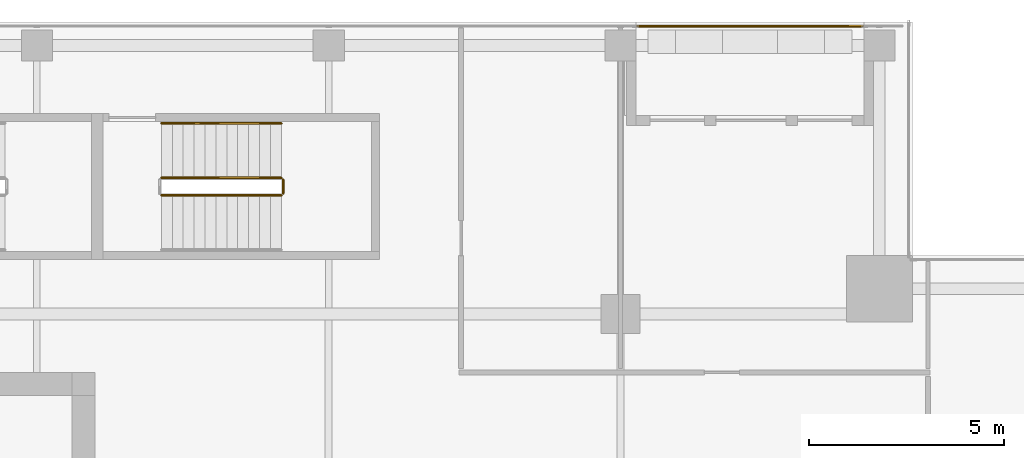
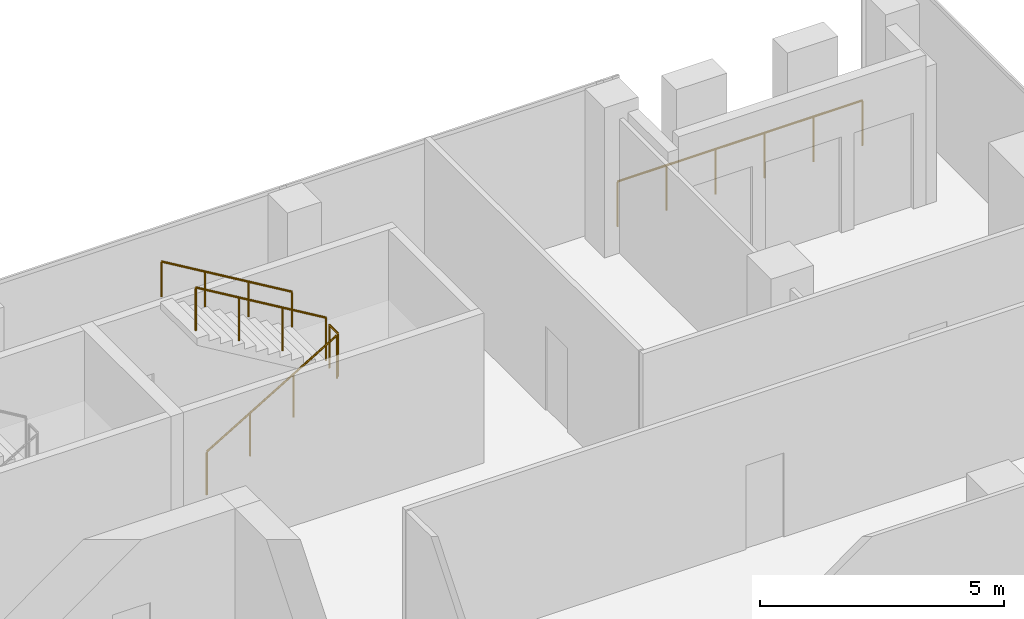
# One storey, part 28 of 29: 5 railings.
"""IFC4 building model written with IfcOpenShell, lengths in metres."""

import ifcopenshell
import ifcopenshell.guid

model = None  # the IFC model being written
_history = None  # IfcOwnerHistory: only IFC2X3 demands one
_inside = {}  # id of a spatial element -> (the spatial element, [elements in it])
_under = {}  # id of a project, library or spatial element -> (it, [spatial elements below it])
_declared = {}  # id of a project -> (the project, [libraries it declares])
_typed = {}  # id of a type object -> (the type object, [elements of that type])
_made_of = {}  # id of a material, layer set ... -> (it, [elements and type objects made of it])


def new_model(schema):
    """Start an empty IFC model of exactly this schema.

    Asked for "IFC4X3", IfcOpenShell would pick the latest addendum, in which some entities
    have other attributes; the version numbers below select the first issue.
    IFC2X3 requires an IfcOwnerHistory on every rooted entity: one is made here for all.
    """
    global model, _history
    if schema == "IFC4X3":
        model = ifcopenshell.file(schema_version=(4, 3, 0, 0))
    else:
        model = ifcopenshell.file(schema=schema)
    _inside.clear()
    _under.clear()
    _declared.clear()
    _typed.clear()
    _made_of.clear()
    _history = None
    if model.schema == "IFC2X3":
        org = make("IfcOrganization", Name="unknown")
        user = make(
            "IfcPersonAndOrganization",
            ThePerson=make("IfcPerson", FamilyName="unknown"),
            TheOrganization=org,
        )
        app = make(
            "IfcApplication",
            ApplicationDeveloper=org,
            Version="unknown",
            ApplicationFullName="unknown",
            ApplicationIdentifier="unknown",
        )
        _history = make(
            "IfcOwnerHistory",
            OwningUser=user,
            OwningApplication=app,
            ChangeAction="ADDED",
            CreationDate=0,
        )
    return model


def make(cls, **values):
    """One entity of the class cls with the attributes given. An attribute that is None is left unset."""
    return model.create_entity(
        cls, **{name: value for name, value in values.items() if value is not None}
    )


def rooted(cls, **values):
    """An entity with a GlobalId (a new one), such as an element, a storey or a relation."""
    return make(cls, GlobalId=ifcopenshell.guid.new(), OwnerHistory=_history, **values)


def si_unit(unit_type, name, prefix=None):
    """IfcSIUnit, for example si_unit("LENGTHUNIT", "METRE", prefix="MILLI")."""
    return make("IfcSIUnit", UnitType=unit_type, Prefix=prefix, Name=name)


def assignment(units):
    """IfcUnitAssignment: the units of a project."""
    return None if units is None else make("IfcUnitAssignment", Units=units)


def point(xyz):
    """IfcCartesianPoint."""
    return None if xyz is None else make("IfcCartesianPoint", Coordinates=xyz)


def direction(xyz):
    """IfcDirection."""
    return None if xyz is None else make("IfcDirection", DirectionRatios=xyz)


def frame(location, z_axis=None, x_axis=None):
    """IfcAxis2Placement3D, a coordinate frame: its origin and axes. An axis left out is left unset."""
    return make(
        "IfcAxis2Placement3D",
        Location=point(location),
        Axis=direction(z_axis),
        RefDirection=direction(x_axis),
    )


def frame_2d(location, x_axis=None):
    """IfcAxis2Placement2D, a coordinate frame in the plane: its origin and x axis."""
    return make(
        "IfcAxis2Placement2D", Location=point(location), RefDirection=direction(x_axis)
    )


def origin():
    """The frame at (0, 0, 0) with its axes left unset."""
    return frame((0.0, 0.0, 0.0))


def origin_2d():
    """The frame at (0, 0) in the plane with its x axis left unset."""
    return frame_2d((0.0, 0.0))


def place(relative_to, where):
    """IfcLocalPlacement: puts the frame where relative to a parent placement (None: the world)."""
    return make(
        "IfcLocalPlacement", PlacementRelTo=relative_to, RelativePlacement=where
    )


def context(
    kind, dimensions, precision=None, world=None, true_north=None, identifier=None
):
    """IfcGeometricRepresentationContext, for example the 3D "Model" context."""
    return make(
        "IfcGeometricRepresentationContext",
        ContextIdentifier=identifier,
        ContextType=kind,
        CoordinateSpaceDimension=dimensions,
        Precision=precision,
        WorldCoordinateSystem=world,
        TrueNorth=true_north,
    )


def subcontext(parent, identifier, kind, view, scale=None):
    """IfcGeometricRepresentationSubContext, for example "Body" below "Model"."""
    return make(
        "IfcGeometricRepresentationSubContext",
        ContextIdentifier=identifier,
        ContextType=kind,
        ParentContext=parent,
        TargetScale=scale,
        TargetView=view,
    )


def project(units=None, contexts=None):
    """IfcProject with its units and contexts."""
    return rooted(
        "IfcProject",
        Name="project",
        RepresentationContexts=contexts,
        UnitsInContext=assignment(units),
    )


def spatial(cls, under=None, at=None, **own):
    """A site, building, storey or space (cls), placed at a placement, below another one or the project."""
    s = rooted(cls, ObjectPlacement=at, **own)
    if under is not None:
        _under.setdefault(under.id(), (under, []))[1].append(s)
    return s


def profile(cls, at=None, kind="AREA", **sizes):
    """A parametric profile (cls). Its sizes go by their IFC names, for example OverallWidth=200.0."""
    return make(cls, ProfileType=kind, Position=at, **sizes)


def circle(**sizes):
    """IfcCircleProfileDef."""
    return profile("IfcCircleProfileDef", **sizes)


def extrude(swept, where, along, depth):
    """IfcExtrudedAreaSolid: the profile swept, set in the frame where, extruded along a direction by depth."""
    return make(
        "IfcExtrudedAreaSolid",
        SweptArea=swept,
        Position=where,
        ExtrudedDirection=direction(along),
        Depth=depth,
    )


def shape(context_of_items, identifier, shape_type, items):
    """IfcShapeRepresentation: the items that make up one representation, for example the "Body"."""
    return make(
        "IfcShapeRepresentation",
        ContextOfItems=context_of_items,
        RepresentationIdentifier=identifier,
        RepresentationType=shape_type,
        Items=items,
    )


def source(mapping_origin, context_of_items, identifier, shape_type, items):
    """IfcRepresentationMap: a shape defined once, which mapped items show again and again."""
    return make(
        "IfcRepresentationMap",
        MappingOrigin=mapping_origin,
        MappedRepresentation=shape(context_of_items, identifier, shape_type, items),
    )


def transform(
    local_origin,
    x_axis=None,
    y_axis=None,
    z_axis=None,
    scale=None,
    scale2=None,
    scale3=None,
    uniform=True,
):
    """IfcCartesianTransformationOperator3D, or its non-uniform kind. x_axis, y_axis, z_axis: its Axis1, 2, 3."""
    if uniform:
        return make(
            "IfcCartesianTransformationOperator3D",
            Axis1=direction(x_axis),
            Axis2=direction(y_axis),
            LocalOrigin=point(local_origin),
            Scale=scale,
            Axis3=direction(z_axis),
        )
    return make(
        "IfcCartesianTransformationOperator3DnonUniform",
        Axis1=direction(x_axis),
        Axis2=direction(y_axis),
        LocalOrigin=point(local_origin),
        Scale=scale,
        Axis3=direction(z_axis),
        Scale2=scale2,
        Scale3=scale3,
    )


def mapped(mapping_source, mapping_target):
    """IfcMappedItem: shows the shape of a source again, moved by a transform."""
    return make(
        "IfcMappedItem", MappingSource=mapping_source, MappingTarget=mapping_target
    )


def material(Name=None, Category=None):
    """IfcMaterial."""
    return make("IfcMaterial", Name=Name, Category=Category)


def made_of(thing, what):
    """Note that an element or type object is made of a material, layer set ...; save() writes the relation."""
    if what is not None:
        _made_of.setdefault(what.id(), (what, []))[1].append(thing)
    return thing


def type_object(cls, material=None, **own):
    """A type object (cls), such as IfcWallType, which elements share."""
    return made_of(rooted(cls, **own), material)


def element(
    cls,
    number,
    at=None,
    inside=None,
    cuts=None,
    type_object=None,
    material=None,
    context=None,
    identifier="Body",
    shape_type=None,
    held_by="IfcProductDefinitionShape",
    body=None,
    shapes=None,
    **own,
):
    """One element of the class cls, such as IfcWall. Its Tag is "e" and its number.

    at: its placement. inside: the storey or other place that contains it. cuts: it is an
    opening in that element (IfcRelVoidsElement). A single representation is given by context,
    identifier, shape_type and body (its items); several are given by shapes. held_by: the class
    of the entity that holds the representations. save() writes the other relations.
    """
    e = rooted(cls, Tag="e%d" % number, ObjectPlacement=at, **own)
    if body is not None:
        shapes = [shape(context, identifier, shape_type, body)]
    if shapes is not None:
        e.Representation = make(held_by, Representations=shapes)
    if inside is not None:
        _inside.setdefault(inside.id(), (inside, []))[1].append(e)
    if cuts is not None:
        rooted(
            "IfcRelVoidsElement", RelatingBuildingElement=cuts, RelatedOpeningElement=e
        )
    if type_object is not None:
        _typed.setdefault(type_object.id(), (type_object, []))[1].append(e)
    return made_of(e, material)


def aggregate(whole, parts):
    """IfcRelAggregates: a whole, such as a stair, and the parts it consists of."""
    return rooted("IfcRelAggregates", RelatingObject=whole, RelatedObjects=parts)


def save(model, path):
    """Write the relations noted so far, then the file.

    IfcRelAggregates (storeys below a building ...), IfcRelContainedInSpatialStructure (elements
    in a storey), IfcRelDefinesByType, IfcRelAssociatesMaterial and IfcRelDeclares: one each for
    every whole, place, type object, material and project.
    """
    for whole, parts in _under.values():
        aggregate(whole, parts)
    for where, things in _inside.values():
        rooted(
            "IfcRelContainedInSpatialStructure",
            RelatedElements=things,
            RelatingStructure=where,
        )
    for kind, things in _typed.values():
        rooted("IfcRelDefinesByType", RelatedObjects=things, RelatingType=kind)
    for what, things in _made_of.values():
        rooted("IfcRelAssociatesMaterial", RelatedObjects=things, RelatingMaterial=what)
    for by, libraries in _declared.values():
        rooted("IfcRelDeclares", RelatingContext=by, RelatedDefinitions=libraries)
    model.write(path)


model = new_model("IFC4")

# Units and contexts
model_context = context("Model", 3, precision=1e-05, world=origin(), true_north=direction((0.0, 1.0)))
body_context = subcontext(model_context, "Body", "Model", "MODEL_VIEW")
ifc_project = project(units=[si_unit("LENGTHUNIT", "METRE"), si_unit("AREAUNIT", "SQUARE_METRE"), si_unit("VOLUMEUNIT", "CUBIC_METRE"), si_unit("PLANEANGLEUNIT", "RADIAN"), si_unit("MASSUNIT", "GRAM", prefix="KILO")], contexts=[model_context])

# Site, building, storey
site_placement = place(None, origin())
site = spatial("IfcSite", under=ifc_project, at=site_placement, CompositionType="ELEMENT")
building_placement = place(site_placement, origin())
building = spatial("IfcBuilding", under=site, at=building_placement, Name="Khomas Fold Tower", CompositionType="ELEMENT")
storey_placement = place(building_placement, frame((0.0, 0.0, 286.199951171875)))
storey = spatial("IfcBuildingStorey", under=building, at=storey_placement, Name="L64", CompositionType="ELEMENT", Elevation=286.199951171875)

# Railings
ifc_material_1 = material(Name="Powder-coated steel", Category="steel")
railing_type_1 = type_object("IfcRailingType", Name="Balcony guard", PredefinedType="GUARDRAIL", material=ifc_material_1)
shared_shape_1 = source(origin(), body_context, "Body", "SweptSolid", [
    extrude(circle(Radius=0.02490234375, at=origin_2d()), frame((0.0, 0.0, 1.125), z_axis=(1.0, 0.0, 0.0), x_axis=(0.0, 1.0, 0.0)), (0.0, 0.0, 1.0), 5.7900390625),
    extrude(circle(Radius=0.02001953125, at=origin_2d()), origin(), (0.0, 0.0, 1.0), 1.099853515625),
    extrude(circle(Radius=0.02001953125, at=origin_2d()), frame((1.157958984375, 0.0, 0.0)), (0.0, 0.0, 1.0), 1.099853515625),
    extrude(circle(Radius=0.02001953125, at=origin_2d()), frame((2.31591796875, 0.0, 0.0)), (0.0, 0.0, 1.0), 1.099853515625),
    extrude(circle(Radius=0.02001953125, at=origin_2d()), frame((3.47412109375, 0.0, 0.0)), (0.0, 0.0, 1.0), 1.099853515625),
    extrude(circle(Radius=0.02001953125, at=origin_2d()), frame((4.632080078125, 0.0, 0.0)), (0.0, 0.0, 1.0), 1.099853515625),
    extrude(circle(Radius=0.02001953125, at=origin_2d()), frame((5.7900390625, 0.0, 0.0)), (0.0, 0.0, 1.0), 1.099853515625),
])
railing_1_placement = place(storey_placement, frame((34.929931640625, 47.89990234375, -0.044921875)))
element("IfcRailing", 1, at=railing_1_placement, inside=storey, type_object=railing_type_1, Name="Balcony guard BAL-L64-N4", PredefinedType="GUARDRAIL", context=body_context, shape_type="MappedRepresentation", body=[
    mapped(shared_shape_1, transform((0.0, 0.0, 0.0))),
])
ifc_material_2 = material(Name="Steel balustrade", Category="steel")
railing_type_2 = type_object("IfcRailingType", Name="Stair guard", PredefinedType="GUARDRAIL", material=ifc_material_2)
shared_shape_2 = source(origin(), body_context, "Body", "SweptSolid", [
    extrude(circle(Radius=0.02392578125, at=origin_2d()), frame((0.0, 0.0, 1.076171875), z_axis=(0.0, 1.0, 0.0), x_axis=(-1.0, 0.0, 0.0)), (0.0, 0.0, 1.0), 0.349853515625),
    extrude(circle(Radius=0.02099609375, at=origin_2d()), origin(), (0.0, 0.0, 1.0), 1.052001953125),
    extrude(circle(Radius=0.02099609375, at=origin_2d()), frame((0.0, 0.349853515625, 0.0)), (0.0, 0.0, 1.0), 1.052001953125),
])
railing_2_placement = place(storey_placement, frame((25.830078125, 43.60009765625, 2.0)))
element("IfcRailing", 2, at=railing_2_placement, inside=storey, type_object=railing_type_2, Name="L64 ST3 stair guard 2", PredefinedType="GUARDRAIL", context=body_context, shape_type="MappedRepresentation", body=[
    mapped(shared_shape_2, transform((0.0, 0.0, 0.0))),
])
shared_shape_3 = source(origin(), body_context, "Body", "SweptSolid", [
    extrude(circle(Radius=0.02392578125, at=origin_2d()), frame((0.0, 0.0, 1.076171875), z_axis=(0.859308565015, 0.0, 0.511457515432), x_axis=(0.0, 1.0, 0.0)), (0.0, 0.0, 1.0), 3.58447265625),
    extrude(circle(Radius=0.02099609375, at=origin_2d()), origin(), (0.0, 0.0, 1.0), 1.052001953125),
    extrude(circle(Radius=0.02099609375, at=origin_2d()), frame((1.026611328125, 0.0, 0.611083984375)), (0.0, 0.0, 1.0), 1.052001953125),
    extrude(circle(Radius=0.02099609375, at=origin_2d()), frame((2.053466796875, 0.0, 1.22216796875)), (0.0, 0.0, 1.0), 1.052001953125),
    extrude(circle(Radius=0.02099609375, at=origin_2d()), frame((3.080078125, 0.0, 1.833251953125)), (0.0, 0.0, 1.0), 1.052001953125),
])
railing_3_placement = place(storey_placement, frame((22.699951171875, 43.550048828125, 0.166748046875)))
element("IfcRailing", 3, at=railing_3_placement, inside=storey, type_object=railing_type_2, Name="L64 ST3 stair guard 1", PredefinedType="GUARDRAIL", context=body_context, shape_type="MappedRepresentation", body=[
    mapped(shared_shape_3, transform((0.0, 0.0, 0.0))),
])
shared_shape_4 = source(origin(), body_context, "Body", "SweptSolid", [
    extrude(circle(Radius=0.02392578125, at=origin_2d()), frame((0.0, 0.0, 1.076171875), z_axis=(-0.859308565015, 0.0, 0.511457515432), x_axis=(0.0, -1.0, 0.0)), (0.0, 0.0, 1.0), 3.58447265625),
    extrude(circle(Radius=0.02099609375, at=origin_2d()), origin(), (0.0, 0.0, 1.0), 1.052001953125),
    extrude(circle(Radius=0.02099609375, at=origin_2d()), frame((-1.026611328125, 0.0, 0.611083984375)), (0.0, 0.0, 1.0), 1.052001953125),
    extrude(circle(Radius=0.02099609375, at=origin_2d()), frame((-2.053466796875, 0.0, 1.22216796875)), (0.0, 0.0, 1.0), 1.052001953125),
    extrude(circle(Radius=0.02099609375, at=origin_2d()), frame((-3.080078125, 0.0, 1.833251953125)), (0.0, 0.0, 1.0), 1.052001953125),
])
railing_4_placement = place(storey_placement, frame((25.780029296875, 44.0, 2.166748046875)))
element("IfcRailing", 4, at=railing_4_placement, inside=storey, type_object=railing_type_2, Name="L64 ST3 stair guard 3", PredefinedType="GUARDRAIL", context=body_context, shape_type="MappedRepresentation", body=[
    mapped(shared_shape_4, transform((0.0, 0.0, 0.0))),
])
ifc_material_3 = material(Name="Steel handrail", Category="steel")
railing_type_3 = type_object("IfcRailingType", Name="Stair handrail", PredefinedType="HANDRAIL", material=ifc_material_3)
shared_shape_5 = source(origin(), body_context, "Body", "SweptSolid", [
    extrude(circle(Radius=0.02392578125, at=origin_2d()), frame((0.0, 0.0, 0.8759765625), z_axis=(-0.859308565015, 0.0, 0.511457515432), x_axis=(0.0, -1.0, 0.0)), (0.0, 0.0, 1.0), 3.58447265625),
    extrude(circle(Radius=0.02099609375, at=origin_2d()), origin(), (0.0, 0.0, 1.0), 0.851806640625),
    extrude(circle(Radius=0.02099609375, at=origin_2d()), frame((-1.026611328125, 0.0, 0.611083984375)), (0.0, 0.0, 1.0), 0.851806640625),
    extrude(circle(Radius=0.02099609375, at=origin_2d()), frame((-2.053466796875, 0.0, 1.22216796875)), (0.0, 0.0, 1.0), 0.851806640625),
    extrude(circle(Radius=0.02099609375, at=origin_2d()), frame((-3.080078125, 0.0, 1.833251953125)), (0.0, 0.0, 1.0), 0.851806640625),
])
railing_5_placement = place(storey_placement, frame((25.780029296875, 45.39990234375, 2.166748046875)))
element("IfcRailing", 5, at=railing_5_placement, inside=storey, type_object=railing_type_3, Name="L64 ST3 stair handrail 2", PredefinedType="HANDRAIL", context=body_context, shape_type="MappedRepresentation", body=[
    mapped(shared_shape_5, transform((0.0, 0.0, 0.0))),
])

save(model, "model.ifc")
